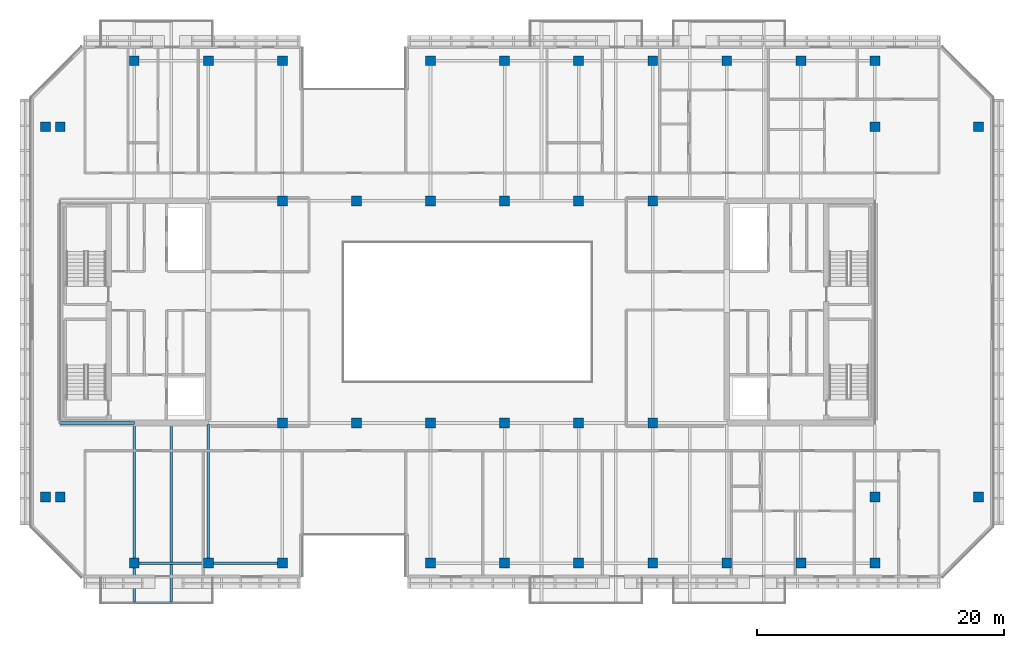
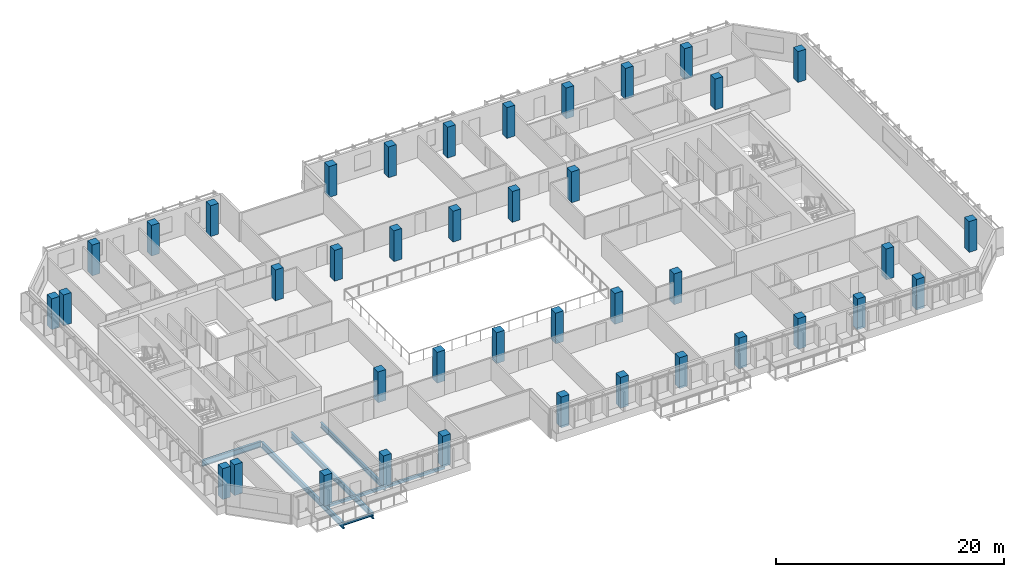
# One storey, part 1 of 16: 40 columns, 7 beams.
"""IFC4 building model written with IfcOpenShell, lengths in metres."""

from ifc_helpers import new_model, si_unit, direction, frame, origin, origin_2d, place, context, subcontext, project, spatial, rectangle, hollow_rectangle, i_section, extrude, material, material_profile, profile_set, type_object, element, save


model = new_model("IFC4")

# Units and contexts
model_context = context("Model", 3, precision=1e-05, world=origin(), true_north=direction((0.0, 1.0)))
body_context = subcontext(model_context, "Body", "Model", "MODEL_VIEW")
ifc_project = project(units=[si_unit("LENGTHUNIT", "METRE"), si_unit("AREAUNIT", "SQUARE_METRE"), si_unit("VOLUMEUNIT", "CUBIC_METRE"), si_unit("PLANEANGLEUNIT", "RADIAN"), si_unit("MASSUNIT", "GRAM", prefix="KILO")], contexts=[model_context])

# Site, building, storey
site_placement = place(None, origin())
site = spatial("IfcSite", under=ifc_project, at=site_placement, CompositionType="ELEMENT")
building_placement = place(site_placement, origin())
building = spatial("IfcBuilding", under=site, at=building_placement, Name="Tanjung Sevakor Pilgrim Tower", CompositionType="ELEMENT")
storey_placement = place(building_placement, frame((0.0, 0.0, 191.72998046875)))
storey = spatial("IfcBuildingStorey", under=building, at=storey_placement, Name="L53", CompositionType="ELEMENT", Elevation=191.72998046875)

# Columns
ifc_material_1 = material(Name="Concrete C60/75", Category="concrete")
ifc_material_profile_1 = material_profile(ifc_material_1, rectangle(XDim=0.800048828125, YDim=0.800048828125, at=origin_2d()))
ifc_profile_set_1 = profile_set([ifc_material_profile_1], Name="Concrete C60/75")
column_type = type_object("IfcColumnType", Name="COL-C-T800-RC_800x800", PredefinedType="COLUMN", material=ifc_profile_set_1)
for number, where, z_axis, x_axis, name in (
    (1, (42.0, 24.60009765625, 0.0), (0.0, 0.0, 1.0), (1.0, 0.0, 0.0), "L53 Column SPW-042-246"),
    (2, (42.0, 42.60009765625, 0.0), (0.0, 0.0, 1.0), (1.0, 0.0, 0.0), "L53 Column SPW-042-426"),
    (3, (48.0, 24.60009765625, 0.0), (0.0, 0.0, 1.0), (1.0, 0.0, 0.0), "L53 Column SPW-048-246"),
    (4, (48.0, 42.60009765625, 0.0), (0.0, 0.0, 1.0), (1.0, 0.0, 0.0), "L53 Column SPW-048-426"),
    (5, (54.0, 24.60009765625, 0.0), (0.0, 0.0, 1.0), (1.0, 0.0, 0.0), "L53 Column SPE-054-246"),
    (6, (54.0, 42.60009765625, 0.0), (0.0, 0.0, 1.0), (1.0, 0.0, 0.0), "L53 Column SPE-054-426"),
    (7, (60.0, 24.60009765625, 0.0), (0.0, 0.0, 1.0), (1.0, 0.0, 0.0), "L53 Column SPE-060-246"),
    (8, (60.0, 42.60009765625, 0.0), (0.0, 0.0, 1.0), (1.0, 0.0, 0.0), "L53 Column SPE-060-426"),
    (9, (66.0, 24.60009765625, 0.0), (0.0, 0.0, 1.0), (1.0, 0.0, 0.0), "L53 Column SPE-066-246"),
    (10, (66.0, 42.60009765625, 0.0), (0.0, 0.0, 1.0), (1.0, 0.0, 0.0), "L53 Column SPE-066-426"),
    (11, (72.0, 24.60009765625, 0.0), (0.0, 0.0, 1.0), (1.0, 0.0, 0.0), "L53 Column SPE-072-246"),
    (12, (72.0, 42.60009765625, 0.0), (0.0, 0.0, 1.0), (1.0, 0.0, 0.0), "L53 Column SPE-072-426"),
    (13, (22.800048828125, 18.60009765625, 0.0), (0.0, 0.0, 1.0), (1.0, 0.0, 0.0), "L53 Column TCE-0228-186"),
    (14, (22.800048828125, 48.60009765625, 0.0), (0.0, 0.0, 1.0), (1.0, 0.0, 0.0), "L53 Column TCE-0228-486"),
    (15, (24.0, 18.60009765625, 0.0), (0.0, 0.0, 1.0), (1.0, 0.0, 0.0), "L53 Column TCE-0240-186"),
    (16, (24.0, 48.60009765625, 0.0), (0.0, 0.0, 1.0), (1.0, 0.0, 0.0), "L53 Column TCE-0240-486"),
    (17, (90.0, 18.60009765625, 0.0), (0.0, 0.0, 1.0), (1.0, 0.0, 0.0), "L53 Column TCE-0900-186"),
    (18, (90.0, 48.60009765625, 0.0), (0.0, 0.0, 1.0), (1.0, 0.0, 0.0), "L53 Column TCE-0900-486"),
    (19, (98.39990234375, 18.60009765625, 0.0), (0.0, 0.0, 1.0), (1.0, 0.0, 0.0), "L53 Column TCE-0984-186"),
    (20, (98.39990234375, 48.60009765625, 0.0), (0.0, 0.0, 1.0), (1.0, 0.0, 0.0), "L53 Column TCE-0984-486"),
    (21, (30.0, 13.25, 0.0), (0.0, 0.0, 1.0), (1.0, 0.0, 0.0), "L53 Column TC4-030-132"),
    (22, (30.0, 53.949951171875, 0.0), (0.0, 0.0, 1.0), (1.0, 0.0, 0.0), "L53 Column TC4-030-540"),
    (23, (36.0, 13.25, 0.0), (0.0, 0.0, 1.0), (1.0, 0.0, 0.0), "L53 Column TC4-036-132"),
    (24, (36.0, 53.949951171875, 0.0), (0.0, 0.0, 1.0), (1.0, 0.0, 0.0), "L53 Column TC4-036-540"),
    (25, (42.0, 13.25, 0.0), (0.0, 0.0, 1.0), (1.0, 0.0, 0.0), "L53 Column TC4-042-132"),
    (26, (42.0, 53.949951171875, 0.0), (0.0, 0.0, 1.0), (1.0, 0.0, 0.0), "L53 Column TC4-042-540"),
    (27, (54.0, 13.25, 0.0), (0.0, 0.0, 1.0), (1.0, 0.0, 0.0), "L53 Column TC4-054-132"),
    (28, (54.0, 53.949951171875, 0.0), (0.0, 0.0, 1.0), (1.0, 0.0, 0.0), "L53 Column TC4-054-540"),
    (29, (60.0, 13.25, 0.0), (0.0, 0.0, 1.0), (1.0, 0.0, 0.0), "L53 Column TC4-060-132"),
    (30, (60.0, 53.949951171875, 0.0), (0.0, 0.0, 1.0), (1.0, 0.0, 0.0), "L53 Column TC4-060-540"),
    (31, (66.0, 13.25, 0.0), (0.0, 0.0, 1.0), (1.0, 0.0, 0.0), "L53 Column TC4-066-132"),
    (32, (66.0, 53.949951171875, 0.0), (0.0, 0.0, 1.0), (1.0, 0.0, 0.0), "L53 Column TC4-066-540"),
    (33, (72.0, 13.25, 0.0), (0.0, 0.0, 1.0), (1.0, 0.0, 0.0), "L53 Column TC4-072-132"),
    (34, (72.0, 53.949951171875, 0.0), (0.0, 0.0, 1.0), (1.0, 0.0, 0.0), "L53 Column TC4-072-540"),
    (35, (78.0, 13.25, 0.0), (0.0, 0.0, 1.0), (1.0, 0.0, 0.0), "L53 Column TC4-078-132"),
    (36, (78.0, 53.949951171875, 0.0), (0.0, 0.0, 1.0), (1.0, 0.0, 0.0), "L53 Column TC4-078-540"),
    (37, (84.0, 13.25, 0.0), (0.0, 0.0, 1.0), (1.0, 0.0, 0.0), "L53 Column TC4-084-132"),
    (38, (84.0, 53.949951171875, 0.0), (0.0, 0.0, 1.0), (1.0, 0.0, 0.0), "L53 Column TC4-084-540"),
    (39, (90.0, 13.25, 0.0), (0.0, 0.0, 1.0), (1.0, 0.0, 0.0), "L53 Column TC4-090-132"),
    (40, (90.0, 53.949951171875, 0.0), (0.0, 0.0, 1.0), (1.0, 0.0, 0.0), "L53 Column TC4-090-540"),
):
    element("IfcColumn", number, at=place(storey_placement, frame(where, z_axis=z_axis, x_axis=x_axis)), inside=storey, type_object=column_type, Name=name, PredefinedType="COLUMN", context=body_context, shape_type="SweptSolid", body=[
        extrude(rectangle(XDim=0.800048828125, YDim=0.800048828125, at=origin_2d()), origin(), (0.0, 0.0, 1.0), 3.300048828125),
    ])

# Beams
ifc_material_2 = material(Name="Steel S355J2", Category="steel")
ifc_material_profile_2 = material_profile(ifc_material_2, i_section(OverallWidth=0.22900390625, OverallDepth=0.6123046875, WebThickness=0.011962890625, FlangeThickness=0.01953125, FilletRadius=0.0126953125, at=origin_2d()))
ifc_profile_set_2 = profile_set([ifc_material_profile_2], Name="Steel S355J2")
beam_type_1 = type_object("IfcBeamType", Name="BM-B-G4-UB_610x229x125", PredefinedType="BEAM", material=ifc_profile_set_2)
beam_1_placement = place(storey_placement, frame((24.0, 24.60009765625, -0.526123046875), z_axis=(1.0, 0.0, 0.0), x_axis=(0.0, 1.0, 0.0)))
element("IfcBeam", 41, at=beam_1_placement, inside=storey, type_object=beam_type_1, Name="L53 Primary Floor Girder MAIN Y246-01", PredefinedType="BEAM", context=body_context, shape_type="SweptSolid", body=[
    extrude(i_section(OverallWidth=0.22900390625, OverallDepth=0.6123046875, WebThickness=0.011962890625, FlangeThickness=0.01953125, FilletRadius=0.0126953125, at=origin_2d()), origin(), (0.0, 0.0, 1.0), 6.0),
])
for number, where, z_axis, x_axis, name in (
    (42, (30.0, 24.485595703125, -0.526123046875), (0.0, -1.0, 0.0), (1.0, 0.0, 0.0), "L53 Balcony Cantilever Beam MAIN-S1-1"),
    (43, (33.0, 24.485595703125, -0.526123046875), (0.0, -1.0, 0.0), (1.0, 0.0, 0.0), "L53 Balcony Cantilever Beam MAIN-S1-2"),
):
    element("IfcBeam", number, at=place(storey_placement, frame(where, z_axis=z_axis, x_axis=x_axis)), inside=storey, type_object=beam_type_1, Name=name, PredefinedType="BEAM", context=body_context, shape_type="SweptSolid", body=[
        extrude(i_section(OverallWidth=0.22900390625, OverallDepth=0.6123046875, WebThickness=0.011962890625, FlangeThickness=0.01953125, FilletRadius=0.0126953125, at=origin_2d()), origin(), (0.0, 0.0, 1.0), 14.41552734375),
    ])
ifc_material_3 = material(Name="Steel S355J2", Category="steel")
ifc_material_profile_3 = material_profile(ifc_material_3, i_section(OverallWidth=0.2119140625, OverallDepth=0.54443359375, WebThickness=0.0126953125, FlangeThickness=0.021240234375, FilletRadius=0.0126953125, at=origin_2d()))
ifc_profile_set_3 = profile_set([ifc_material_profile_3], Name="Steel S355J2")
beam_type_2 = type_object("IfcBeamType", Name="BM-B-G5-UB_533x210x122", PredefinedType="BEAM", material=ifc_profile_set_3)
beam_2_placement = place(storey_placement, frame((36.0, 13.25, -0.4921875), z_axis=(0.0, 1.0, 0.0), x_axis=(-1.0, 0.0, 0.0)))
element("IfcBeam", 44, at=beam_2_placement, inside=storey, type_object=beam_type_2, Name="L53 MAIN Girder 001", PredefinedType="BEAM", context=body_context, shape_type="SweptSolid", body=[
    extrude(i_section(OverallWidth=0.2119140625, OverallDepth=0.54443359375, WebThickness=0.0126953125, FlangeThickness=0.021240234375, FilletRadius=0.0126953125, at=origin_2d()), origin(), (0.0, 0.0, 1.0), 11.235595703125),
])
ifc_material_4 = material(Name="Steel S355J2", Category="steel")
ifc_material_profile_4 = material_profile(ifc_material_4, i_section(OverallWidth=0.146484375, OverallDepth=0.256103515625, WebThickness=0.00634765625, FlangeThickness=0.010986328125, FilletRadius=0.007568359375, at=origin_2d()))
ifc_profile_set_4 = profile_set([ifc_material_profile_4], Name="Steel S355J2")
beam_type_3 = type_object("IfcBeamType", Name="BM-B-J6-UB_254x146x37", PredefinedType="JOIST", material=ifc_profile_set_4)
beam_3_placement = place(storey_placement, frame((30.0, 10.070068359375, -0.327880859375), z_axis=(1.0, 0.0, 0.0), x_axis=(0.0, 1.0, 0.0)))
element("IfcBeam", 45, at=beam_3_placement, inside=storey, type_object=beam_type_3, Name="L53 Balcony Rim Tie MAIN-S1", PredefinedType="JOIST", context=body_context, shape_type="SweptSolid", body=[
    extrude(i_section(OverallWidth=0.146484375, OverallDepth=0.256103515625, WebThickness=0.00634765625, FlangeThickness=0.010986328125, FilletRadius=0.007568359375, at=origin_2d()), origin(), (0.0, 0.0, 1.0), 3.0),
])
ifc_material_5 = material(Name="Steel S355J2", Category="steel")
ifc_material_profile_5 = material_profile(ifc_material_5, hollow_rectangle(XDim=0.199951171875, YDim=0.300048828125, WallThickness=0.012451171875, at=origin_2d()))
ifc_profile_set_5 = profile_set([ifc_material_profile_5], Name="Steel S355J2")
beam_type_4 = type_object("IfcBeamType", Name="BM-B-SP3-RHS_300x200x12.5", PredefinedType="SPANDREL", material=ifc_profile_set_5)
for number, where, z_axis, x_axis, name in (
    (46, (30.0, 13.25, -0.369873046875), (1.0, 0.0, 0.0), (0.0, 1.0, 0.0), "L53 Spandrel MAIN S-01"),
    (47, (36.0, 13.25, -0.369873046875), (1.0, 0.0, 0.0), (0.0, 1.0, 0.0), "L53 Spandrel MAIN S-03"),
):
    element("IfcBeam", number, at=place(storey_placement, frame(where, z_axis=z_axis, x_axis=x_axis)), inside=storey, type_object=beam_type_4, Name=name, PredefinedType="SPANDREL", context=body_context, shape_type="SweptSolid", body=[
        extrude(hollow_rectangle(XDim=0.199951171875, YDim=0.300048828125, WallThickness=0.012451171875, at=origin_2d()), origin(), (0.0, 0.0, 1.0), 6.0),
    ])

save(model, "model.ifc")
